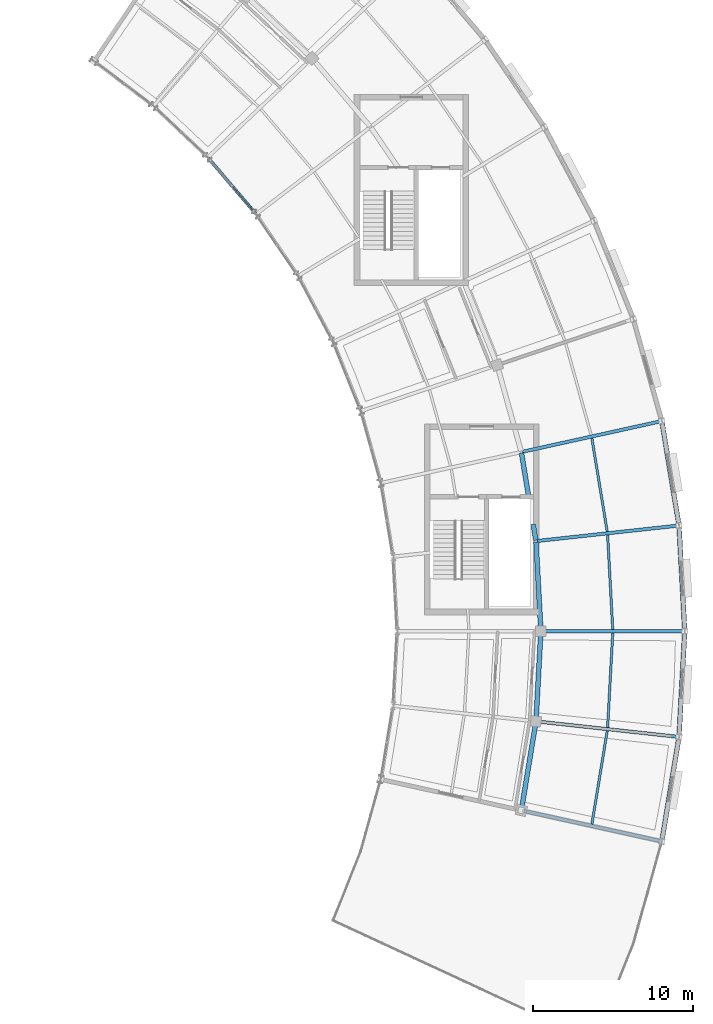
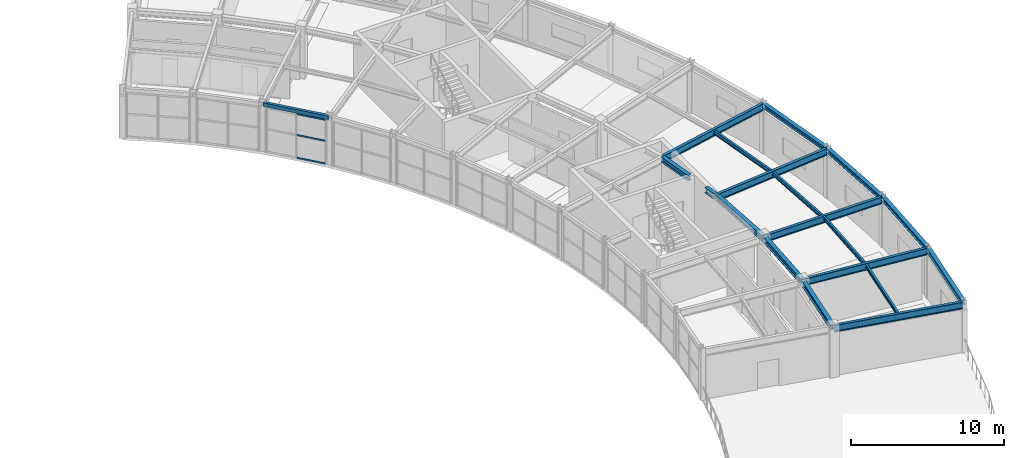
# One storey, part 32 of 63: 19 beams, 3 members, 1 element without a shape of its own.
"""IFC4 building model written with IfcOpenShell, lengths in metres."""

from ifc_helpers import new_model, si_unit, direction, frame, origin, origin_2d, place, context, subcontext, project, spatial, hollow_rectangle, i_section, extrude, material, material_profile, profile_set, type_object, element, aggregate, save


model = new_model("IFC4")

# Units and contexts
model_context = context("Model", 3, precision=1e-05, world=origin(), true_north=direction((0.0, 1.0)))
body_context = subcontext(model_context, "Body", "Model", "MODEL_VIEW")
ifc_project = project(units=[si_unit("LENGTHUNIT", "METRE"), si_unit("AREAUNIT", "SQUARE_METRE"), si_unit("VOLUMEUNIT", "CUBIC_METRE"), si_unit("PLANEANGLEUNIT", "RADIAN"), si_unit("MASSUNIT", "GRAM", prefix="KILO")], contexts=[model_context])

# Site, building, storey
site_placement = place(None, origin())
site = spatial("IfcSite", under=ifc_project, at=site_placement, CompositionType="ELEMENT")
building_placement = place(site_placement, origin())
building = spatial("IfcBuilding", under=site, at=building_placement, Name="Tarnveldt Headland Concert Hall", CompositionType="ELEMENT")
storey_placement = place(building_placement, frame((0.0, 0.0, 14.39990234375)))
storey = spatial("IfcBuildingStorey", under=building, at=storey_placement, Name="L03", CompositionType="ELEMENT", Elevation=14.39990234375)

# Beams
ifc_material_1 = material(Name="Steel S355", Category="steel")
ifc_material_profile_1 = material_profile(ifc_material_1, i_section(OverallWidth=0.300048828125, OverallDepth=0.35009765625, WebThickness=0.010009765625, FlangeThickness=0.017578125, FilletRadius=0.027099609375, at=origin_2d()), Name="HEA360", Category="steel")
ifc_profile_set_1 = profile_set([ifc_material_profile_1], Name="Steel S355")
beam_type_1 = type_object("IfcBeamType", Name="SB-HEA360", PredefinedType="SPANDREL", material=ifc_profile_set_1)
beam_1_placement = place(storey_placement, frame((177.076416015625, 46.9140625, 3.830078125), z_axis=(0.162188067735, 0.986759864752, 0.0), x_axis=(-0.986759864752, 0.162188067735, 0.0)))
element("IfcBeam", 1, at=beam_1_placement, inside=storey, type_object=beam_type_1, Name="Framing beam L03-1256", PredefinedType="SPANDREL", context=body_context, shape_type="SweptSolid", body=[
    extrude(i_section(OverallWidth=0.300048828125, OverallDepth=0.35009765625, WebThickness=0.010009765625, FlangeThickness=0.017578125, FilletRadius=0.027099609375, at=origin_2d()), origin(), (0.0, 0.0, 1.0), 6.50146484375),
])
for number, where, z_axis, x_axis, name in (
    (2, (178.143798828125, 53.448486328125, 3.830078125), (0.054263670447, 0.998526641642, 0.0), (-0.998526641642, 0.054263670447, 0.0), "Framing beam L03-1263"),
    (3, (178.49658203125, 60.059814453125, 3.78515625), (-0.054263670447, 0.998526641642, 0.0), (-0.998526641642, -0.054263670447, 0.0), "Framing beam L03-1270"),
):
    element("IfcBeam", number, at=place(storey_placement, frame(where, z_axis=z_axis, x_axis=x_axis)), inside=storey, type_object=beam_type_1, Name=name, PredefinedType="SPANDREL", context=body_context, shape_type="SweptSolid", body=[
        extrude(i_section(OverallWidth=0.300048828125, OverallDepth=0.35009765625, WebThickness=0.010009765625, FlangeThickness=0.017578125, FilletRadius=0.027099609375, at=origin_2d()), origin(), (0.0, 0.0, 1.0), 6.501220703125),
    ])
beam_2_placement = place(storey_placement, frame((178.130859375, 66.670654296875, 3.78515625), z_axis=(-0.162188067735, 0.986759864752, 0.0), x_axis=(-0.986759864752, -0.162188067735, 0.0)))
element("IfcBeam", 4, at=beam_2_placement, inside=storey, type_object=beam_type_1, Name="Framing beam L03-1278", PredefinedType="SPANDREL", context=body_context, shape_type="SweptSolid", body=[
    extrude(i_section(OverallWidth=0.300048828125, OverallDepth=0.35009765625, WebThickness=0.010009765625, FlangeThickness=0.017578125, FilletRadius=0.027099609375, at=origin_2d()), origin(), (0.0, 0.0, 1.0), 6.50146484375),
])
ifc_material_profile_2 = material_profile(ifc_material_1, i_section(OverallWidth=0.300048828125, OverallDepth=0.43994140625, WebThickness=0.011474609375, FlangeThickness=0.02099609375, FilletRadius=0.027099609375, at=origin_2d()), Name="HEA450", Category="steel")
ifc_profile_set_2 = profile_set([ifc_material_profile_2], Name="Steel S355")
beam_type_2 = type_object("IfcBeamType", Name="SB-HEA450", PredefinedType="BEAM", material=ifc_profile_set_2)
for number, where, z_axis, x_axis, name in (
    (5, (168.2880859375, 48.853515625, 3.78515625), (0.16219127416, 0.986759337724, 0.0), (-0.986759337724, 0.16219127416, 0.0), "Framing beam L03-1255"),
    (6, (169.197021484375, 54.423828125, 3.78515625), (0.054224156809, 0.998528788177, 0.0), (-0.998528788177, 0.054224156809, 0.0), "Framing beam L03-1262"),
    (7, (169.49658203125, 60.059814453125, 3.739990234375), (-0.054224156809, 0.998528788177, 0.0), (-0.998528788177, -0.054224156809, 0.0), "Framing beam L03-1269"),
):
    element("IfcBeam", number, at=place(storey_placement, frame(where, z_axis=z_axis, x_axis=x_axis)), inside=storey, type_object=beam_type_2, Name=name, PredefinedType="BEAM", context=body_context, shape_type="SweptSolid", body=[
        extrude(i_section(OverallWidth=0.300048828125, OverallDepth=0.43994140625, WebThickness=0.011474609375, FlangeThickness=0.02099609375, FilletRadius=0.027099609375, at=origin_2d()), origin(), (0.0, 0.0, 1.0), 5.5244140625),
    ])
beam_3_placement = place(storey_placement, frame((169.18408203125, 65.6953125, 3.739990234375), z_axis=(-0.16224524411, 0.986750465297, 0.0), x_axis=(-0.986750465297, -0.16224524411, 0.0)))
element("IfcBeam", 8, at=beam_3_placement, inside=storey, type_object=beam_type_2, Name="Framing beam L03-1276", PredefinedType="BEAM", context=body_context, shape_type="SweptSolid", body=[
    extrude(i_section(OverallWidth=0.300048828125, OverallDepth=0.43994140625, WebThickness=0.011474609375, FlangeThickness=0.02099609375, FilletRadius=0.027099609375, at=origin_2d()), origin(), (0.0, 0.0, 1.0), 1.01123046875),
])
beam_4_placement = place(storey_placement, frame((168.739501953125, 68.39990234375, 3.739990234375), z_axis=(-0.162179692028, 0.986761241382, 0.0), x_axis=(-0.986761241382, -0.162179692028, 0.0)))
element("IfcBeam", 9, at=beam_4_placement, inside=storey, type_object=beam_type_2, Name="Framing beam L03-1277", PredefinedType="BEAM", context=body_context, shape_type="SweptSolid", body=[
    extrude(i_section(OverallWidth=0.300048828125, OverallDepth=0.43994140625, WebThickness=0.011474609375, FlangeThickness=0.02099609375, FilletRadius=0.027099609375, at=origin_2d()), origin(), (0.0, 0.0, 1.0), 2.783447265625),
])
ifc_material_profile_3 = material_profile(ifc_material_1, i_section(OverallWidth=0.14990234375, OverallDepth=0.300048828125, WebThickness=0.007080078125, FlangeThickness=0.0107421875, FilletRadius=0.014892578125, at=origin_2d()), Name="IPE300", Category="steel")
ifc_profile_set_3 = profile_set([ifc_material_profile_3], Name="Steel S355")
beam_type_3 = type_object("IfcBeamType", Name="SB-IPE300", PredefinedType="JOIST", material=ifc_profile_set_3)
for number, where, z_axis, x_axis, name in (
    (10, (172.689697265625, 47.92822265625, 3.85498046875), (0.162159317287, 0.986764589868, 0.0), (-0.986764589868, 0.162159317287, 0.0), "Framing beam L03-1258"),
    (11, (173.6728515625, 53.981201171875, 3.85498046875), (0.054287396326, 0.998525352007, 0.0), (-0.998525352007, 0.054287396326, 0.0), "Framing beam L03-1265"),
    (12, (173.994384765625, 60.104736328125, 3.81005859375), (-0.054287396326, 0.998525352007, 0.0), (-0.998525352007, -0.054287396326, 0.0), "Framing beam L03-1272"),
    (13, (173.650146484375, 66.227294921875, 3.81005859375), (-0.162159317287, 0.986764589868, 0.0), (-0.986764589868, -0.162159317287, 0.0), "Framing beam L03-1280"),
):
    element("IfcBeam", number, at=place(storey_placement, frame(where, z_axis=z_axis, x_axis=x_axis)), inside=storey, type_object=beam_type_3, Name=name, PredefinedType="JOIST", context=body_context, shape_type="SweptSolid", body=[
        extrude(i_section(OverallWidth=0.14990234375, OverallDepth=0.300048828125, WebThickness=0.007080078125, FlangeThickness=0.0107421875, FilletRadius=0.014892578125, at=origin_2d()), origin(), (0.0, 0.0, 1.0), 5.9228515625),
    ])
ifc_material_profile_4 = material_profile(ifc_material_1, i_section(OverallWidth=0.2099609375, OverallDepth=0.550048828125, WebThickness=0.010986328125, FlangeThickness=0.01708984375, FilletRadius=0.02392578125, at=origin_2d()), Name="IPE550", Category="steel")
ifc_profile_set_4 = profile_set([ifc_material_profile_4], Name="Steel S355")
beam_type_4 = type_object("IfcBeamType", Name="SB-IPE550", PredefinedType="BEAM", material=ifc_profile_set_4)
beam_5_placement = place(storey_placement, frame((168.3369140625, 48.781494140625, 3.72998046875), z_axis=(0.976505569656, -0.215492163268, 0.0), x_axis=(0.215492163268, 0.976505569656, 0.0)))
element("IfcBeam", 14, at=beam_5_placement, inside=storey, type_object=beam_type_4, Name="Framing beam L03-1253", PredefinedType="BEAM", context=body_context, shape_type="SweptSolid", body=[
    extrude(i_section(OverallWidth=0.2099609375, OverallDepth=0.550048828125, WebThickness=0.010986328125, FlangeThickness=0.01708984375, FilletRadius=0.02392578125, at=origin_2d()), origin(), (0.0, 0.0, 1.0), 8.880126953125),
])
for number, where, z_axis, x_axis, name in (
    (15, (169.25341796875, 54.357421875, 3.72998046875), (0.994109611255, -0.108379337562, 0.0), (0.108379337562, 0.994109611255, 0.0), "Framing beam L03-1260"),
    (16, (169.56005859375, 60.0, 3.68505859375), (1.0, 0.0, 0.0), (0.0, 1.0, 0.0), "Framing beam L03-1267"),
    (17, (169.25341796875, 65.642578125, 3.68505859375), (0.994109611255, 0.108379337562, 0.0), (-0.108379337562, 0.994109611255, 0.0), "Framing beam L03-1274"),
):
    element("IfcBeam", number, at=place(storey_placement, frame(where, z_axis=z_axis, x_axis=x_axis)), inside=storey, type_object=beam_type_4, Name=name, PredefinedType="BEAM", context=body_context, shape_type="SweptSolid", body=[
        extrude(i_section(OverallWidth=0.2099609375, OverallDepth=0.550048828125, WebThickness=0.010986328125, FlangeThickness=0.01708984375, FilletRadius=0.02392578125, at=origin_2d()), origin(), (0.0, 0.0, 1.0), 8.8798828125),
    ])
beam_6_placement = place(storey_placement, frame((168.3369140625, 71.218505859375, 3.68505859375), z_axis=(0.976505569656, 0.215492163268, 0.0), x_axis=(-0.215492163268, 0.976505569656, 0.0)))
element("IfcBeam", 18, at=beam_6_placement, inside=storey, type_object=beam_type_4, Name="Framing beam L03-1282", PredefinedType="BEAM", context=body_context, shape_type="SweptSolid", body=[
    extrude(i_section(OverallWidth=0.2099609375, OverallDepth=0.550048828125, WebThickness=0.010986328125, FlangeThickness=0.01708984375, FilletRadius=0.02392578125, at=origin_2d()), origin(), (0.0, 0.0, 1.0), 8.880126953125),
])
ifc_material_profile_5 = material_profile(ifc_material_1, hollow_rectangle(XDim=0.199951171875, YDim=0.300048828125, WallThickness=0.012451171875, at=origin_2d()), Name="RHS 300x200x12.5", Category="steel")
ifc_profile_set_5 = profile_set([ifc_material_profile_5], Name="Steel S355")
beam_type_5 = type_object("IfcBeamType", Name="SB-RHS300", PredefinedType="SPANDREL", material=ifc_profile_set_5)
beam_7_placement = place(storey_placement, frame((151.6513671875, 86.123046875, 3.81005859375), z_axis=(-0.648715315983, 0.761031168093, 0.0), x_axis=(-0.761031168093, -0.648715315983, 0.0)))
element("IfcBeam", 19, at=beam_7_placement, inside=storey, type_object=beam_type_5, Name="Framing beam L03-1310", PredefinedType="SPANDREL", context=body_context, shape_type="SweptSolid", body=[
    extrude(hollow_rectangle(XDim=0.199951171875, YDim=0.300048828125, WallThickness=0.012451171875, at=origin_2d()), origin(), (0.0, 0.0, 1.0), 4.54736328125),
])

# Curtain wall, members
ifc_material_2 = material(Name="Marine-anodised aluminium EN AW-6063-T6", Category="aluminium")
curtain_wall_type = type_object("IfcCurtainWallType", Name="CW-C4", PredefinedType="NOTDEFINED", material=ifc_material_2)
curtain_wall_placement = place(storey_placement, origin())
curtain_wall = element("IfcCurtainWall", 20, at=curtain_wall_placement, inside=storey, type_object=curtain_wall_type, Name="Curtain wall CW-L03-144", PredefinedType="NOTDEFINED")
ifc_material_profile_6 = material_profile(ifc_material_2, hollow_rectangle(XDim=0.06005859375, YDim=0.1201171875, WallThickness=0.00390625, at=origin_2d()), Name="ALU TRANSOM 60x120x4", Category="aluminium")
ifc_profile_set_6 = profile_set([ifc_material_profile_6], Name="Marine-anodised aluminium EN AW-6063-T6")
member_type = type_object("IfcMemberType", Name="TR-110", PredefinedType="MEMBER", material=ifc_profile_set_6)
member_1_placement = place(storey_placement, frame((151.4912109375, 86.31103515625, 0.050048828125), z_axis=(-0.648722497747, 0.761025046182, 0.0), x_axis=(-0.761025046182, -0.648722497747, 0.0)))
member_1 = element("IfcMember", 21, at=member_1_placement, type_object=member_type, Name="Transom CW-L03-144-1-1", PredefinedType="MEMBER", context=body_context, shape_type="SweptSolid", body=[
    extrude(hollow_rectangle(XDim=0.06005859375, YDim=0.1201171875, WallThickness=0.00390625, at=origin_2d()), origin(), (0.0, 0.0, 1.0), 1.98486328125),
])
member_2_placement = place(storey_placement, frame((151.4912109375, 86.31103515625, 1.8720703125), z_axis=(-0.648722497747, 0.761025046182, 0.0), x_axis=(-0.761025046182, -0.648722497747, 0.0)))
member_2 = element("IfcMember", 22, at=member_2_placement, type_object=member_type, Name="Transom CW-L03-144-1-2", PredefinedType="MEMBER", context=body_context, shape_type="SweptSolid", body=[
    extrude(hollow_rectangle(XDim=0.06005859375, YDim=0.1201171875, WallThickness=0.00390625, at=origin_2d()), origin(), (0.0, 0.0, 1.0), 1.98486328125),
])
member_3_placement = place(storey_placement, frame((151.4912109375, 86.31103515625, 3.550048828125), z_axis=(-0.648722497747, 0.761025046182, 0.0), x_axis=(-0.761025046182, -0.648722497747, 0.0)))
member_3 = element("IfcMember", 23, at=member_3_placement, type_object=member_type, Name="Transom CW-L03-144-1-3", PredefinedType="MEMBER", context=body_context, shape_type="SweptSolid", body=[
    extrude(hollow_rectangle(XDim=0.06005859375, YDim=0.1201171875, WallThickness=0.00390625, at=origin_2d()), origin(), (0.0, 0.0, 1.0), 1.98486328125),
])
aggregate(curtain_wall, [member_1, member_2, member_3])

save(model, "model.ifc")
